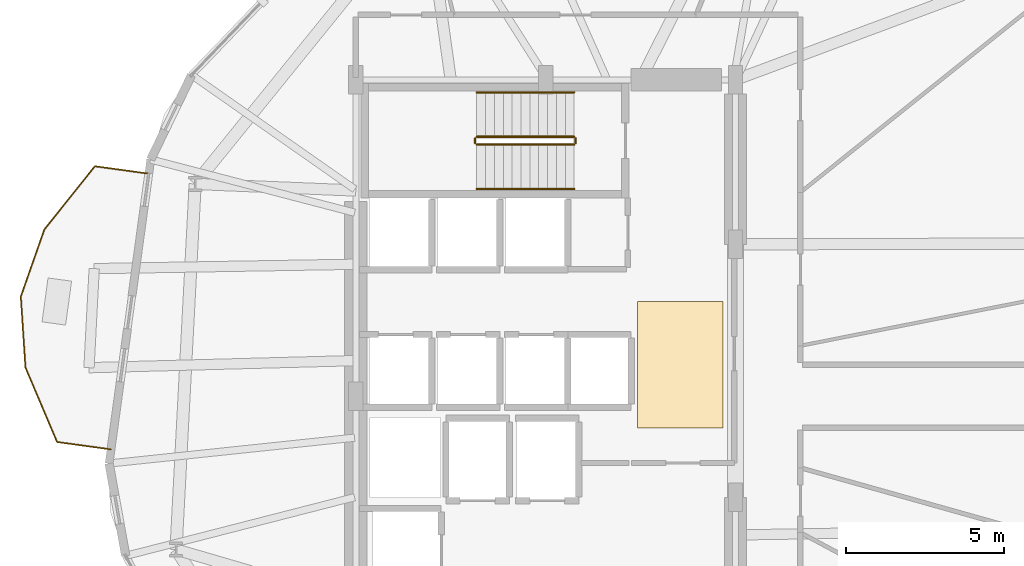
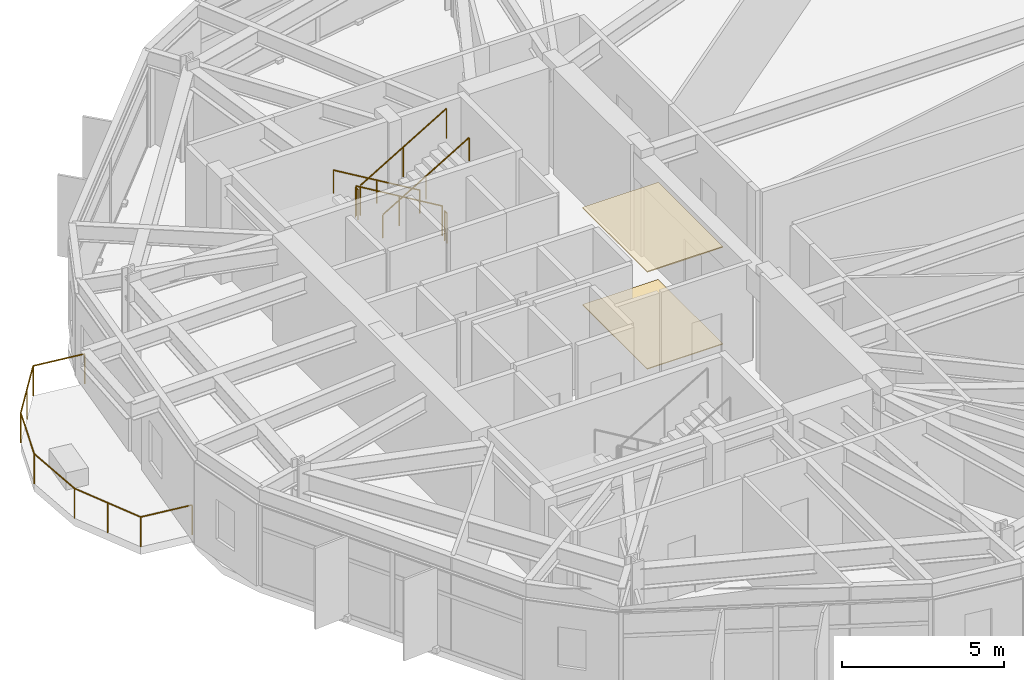
# One storey, part 21 of 22: 7 railings, 2 coverings.
"""IFC4 building model written with IfcOpenShell, lengths in metres."""

from ifc_helpers import new_model, si_unit, direction, frame, origin, origin_2d, place, context, subcontext, project, spatial, polyline, circle, outline, extrude, material, layer, layer_set, type_object, element, save


model = new_model("IFC4")

# Units and contexts
model_context = context("Model", 3, precision=1e-05, world=origin(), true_north=direction((0.0, 1.0)))
body_context = subcontext(model_context, "Body", "Model", "MODEL_VIEW")
ifc_project = project(units=[si_unit("LENGTHUNIT", "METRE"), si_unit("AREAUNIT", "SQUARE_METRE"), si_unit("VOLUMEUNIT", "CUBIC_METRE"), si_unit("PLANEANGLEUNIT", "RADIAN"), si_unit("MASSUNIT", "GRAM", prefix="KILO")], contexts=[model_context])

# Site, building, storey
site_placement = place(None, origin())
site = spatial("IfcSite", under=ifc_project, at=site_placement, CompositionType="ELEMENT")
building_placement = place(site_placement, origin())
building = spatial("IfcBuilding", under=site, at=building_placement, Name="Soratama Intermodal Tower", CompositionType="ELEMENT")
storey_placement = place(building_placement, frame((0.0, 0.0, 66.60009765625)))
storey = spatial("IfcBuildingStorey", under=building, at=storey_placement, Name="L15", CompositionType="ELEMENT", Elevation=66.60009765625)

# Coverings
ifc_material_1 = material(Name="Perforated mineral acoustic ceiling", Category="concrete")
ifc_layer_1 = layer(ifc_material_1, 0.0400390625)
ifc_layer_set_1 = layer_set([ifc_layer_1], Name="Perforated mineral acoustic ceiling")
covering_type_1 = type_object("IfcCoveringType", Name="CV-CEIL-ACOUSTIC", PredefinedType="CEILING", material=ifc_layer_set_1)
covering_1_placement = place(storey_placement, frame((0.0, 0.0, 3.659912109375)))
element("IfcCovering", 1, at=covering_1_placement, inside=storey, type_object=covering_type_1, Name="L15 Acoustic Ceiling", PredefinedType="CEILING", context=body_context, shape_type="SweptSolid", body=[
    extrude(outline(polyline([(41.5, 24.0), (44.199951171875, 24.0), (44.199951171875, 28.0), (41.5, 28.0), (41.5, 24.0)])), origin(), (0.0, 0.0, 1.0), 0.0400390625),
])
ifc_material_2 = material(Name="Polished Andean stone terrazzo flooring", Category="masonry")
ifc_layer_2 = layer(ifc_material_2, 0.030029296875)
ifc_layer_set_2 = layer_set([ifc_layer_2], Name="Polished Andean stone terrazzo flooring")
covering_type_2 = type_object("IfcCoveringType", Name="CV-FLOR-TERRAZZO", PredefinedType="FLOORING", material=ifc_layer_set_2)
covering_2_placement = place(storey_placement, origin())
element("IfcCovering", 2, at=covering_2_placement, inside=storey, type_object=covering_type_2, Name="L15 Lobby Terrazzo Flooring", PredefinedType="FLOORING", context=body_context, shape_type="SweptSolid", body=[
    extrude(outline(polyline([(41.5, 24.0), (44.199951171875, 24.0), (44.199951171875, 28.0), (41.5, 28.0), (41.5, 24.0)])), origin(), (0.0, 0.0, 1.0), 0.02978515625),
])

# Railings
ifc_material_3 = material(Name="Laminated glass and stainless steel balustrade", Category="steel")
railing_type_1 = type_object("IfcRailingType", Name="RL-BAL-1150", PredefinedType="BALUSTRADE", material=ifc_material_3)
railing_1_placement = place(storey_placement, frame((24.86181640625, 23.318603515625, 0.0)))
element("IfcRailing", 3, at=railing_1_placement, inside=storey, type_object=railing_type_1, Name="L15 Balcony Balustrade 2", PredefinedType="BALUSTRADE", context=body_context, shape_type="SweptSolid", body=[
    extrude(circle(Radius=0.02392578125, at=origin_2d()), frame((0.0, 0.0, 1.1259765625), z_axis=(-0.990750532566, 0.135695918214, 0.0), x_axis=(-0.135695918214, -0.990750532566, 0.0)), (0.0, 0.0, 1.0), 1.719970703125),
    extrude(circle(Radius=0.02392578125, at=origin_2d()), frame((-1.7041015625, 0.2333984375, 1.1259765625), z_axis=(-0.390660037653, 0.920535026483, 0.0), x_axis=(-0.920535026483, -0.390660037653, 0.0)), (0.0, 0.0, 1.0), 2.560302734375),
    extrude(circle(Radius=0.02392578125, at=origin_2d()), frame((-2.704345703125, 2.59033203125, 1.1259765625), z_axis=(-0.065248629317, 0.997869037686, 0.0), x_axis=(-0.997869037686, -0.065248629317, 0.0)), (0.0, 0.0, 1.0), 2.2451171875),
    extrude(circle(Radius=0.02392578125, at=origin_2d()), frame((-2.850830078125, 4.83056640625, 1.1259765625), z_axis=(0.331164160543, 0.943573154966, 0.0), x_axis=(-0.943573154966, 0.331164160543, 0.0)), (0.0, 0.0, 1.0), 2.244873046875),
    extrude(circle(Radius=0.02392578125, at=origin_2d()), frame((-2.107421875, 6.94873046875, 1.1259765625), z_axis=(0.623845870632, 0.781547394401, 0.0), x_axis=(-0.781547394401, 0.623845870632, 0.0)), (0.0, 0.0, 1.0), 2.560546875),
    extrude(circle(Radius=0.02392578125, at=origin_2d()), frame((-0.510009765625, 8.949951171875, 1.1259765625), z_axis=(0.990750532566, -0.135695918214, 0.0), x_axis=(0.135695918214, 0.990750532566, 0.0)), (0.0, 0.0, 1.0), 1.719970703125),
    extrude(circle(Radius=0.02099609375, at=origin_2d()), origin(), (0.0, 0.0, 1.0), 1.101806640625),
    extrude(circle(Radius=0.02099609375, at=origin_2d()), frame((-1.7041015625, 0.2333984375, 0.0)), (0.0, 0.0, 1.0), 1.101806640625),
    extrude(circle(Radius=0.02099609375, at=origin_2d()), frame((-2.2041015625, 1.411865234375, 0.0)), (0.0, 0.0, 1.0), 1.101806640625),
    extrude(circle(Radius=0.02099609375, at=origin_2d()), frame((-2.704345703125, 2.59033203125, 0.0)), (0.0, 0.0, 1.0), 1.101806640625),
    extrude(circle(Radius=0.02099609375, at=origin_2d()), frame((-2.850830078125, 4.83056640625, 0.0)), (0.0, 0.0, 1.0), 1.101806640625),
    extrude(circle(Radius=0.02099609375, at=origin_2d()), frame((-2.107421875, 6.94873046875, 0.0)), (0.0, 0.0, 1.0), 1.101806640625),
    extrude(circle(Radius=0.02099609375, at=origin_2d()), frame((-1.30859375, 7.94921875, 0.0)), (0.0, 0.0, 1.0), 1.101806640625),
    extrude(circle(Radius=0.02099609375, at=origin_2d()), frame((-0.510009765625, 8.949951171875, 0.0)), (0.0, 0.0, 1.0), 1.101806640625),
    extrude(circle(Radius=0.02099609375, at=origin_2d()), frame((1.194091796875, 8.716552734375, 0.0)), (0.0, 0.0, 1.0), 1.101806640625),
])
ifc_material_4 = material(Name="Painted steel stair guardrail", Category="steel")
railing_type_2 = type_object("IfcRailingType", Name="RL-STAIR-GUARD", PredefinedType="GUARDRAIL", material=ifc_material_4)
railing_2_placement = place(storey_placement, frame((39.5, 33.199951171875, 0.16650390625)))
element("IfcRailing", 4, at=railing_2_placement, inside=storey, type_object=railing_type_2, Name="L15 ST-2 stair guard 1", PredefinedType="GUARDRAIL", context=body_context, shape_type="SweptSolid", body=[
    extrude(circle(Radius=0.02392578125, at=origin_2d()), frame((0.0, 0.0, 1.1259765625), z_axis=(-0.85927862911, 0.0, 0.511507807912), x_axis=(0.0, -1.0, 0.0)), (0.0, 0.0, 1.0), 3.58447265625),
    extrude(circle(Radius=0.02099609375, at=origin_2d()), origin(), (0.0, 0.0, 1.0), 1.101806640625),
    extrude(circle(Radius=0.02099609375, at=origin_2d()), frame((-1.5400390625, 0.0, 0.916748046875)), (0.0, 0.0, 1.0), 1.101806640625),
    extrude(circle(Radius=0.02099609375, at=origin_2d()), frame((-3.080078125, 0.0, 1.83349609375)), (0.0, 0.0, 1.0), 1.101806640625),
])
railing_3_placement = place(storey_placement, frame((36.3701171875, 33.14990234375, 2.0)))
element("IfcRailing", 5, at=railing_3_placement, inside=storey, type_object=railing_type_2, Name="L15 ST-2 stair guard 2", PredefinedType="GUARDRAIL", context=body_context, shape_type="SweptSolid", body=[
    extrude(circle(Radius=0.02392578125, at=origin_2d()), frame((0.0, 0.0, 1.1259765625), z_axis=(0.0, -1.0, 0.0), x_axis=(1.0, 0.0, 0.0)), (0.0, 0.0, 1.0), 0.14990234375),
    extrude(circle(Radius=0.02099609375, at=origin_2d()), origin(), (0.0, 0.0, 1.0), 1.101806640625),
    extrude(circle(Radius=0.02099609375, at=origin_2d()), frame((0.0, -0.14990234375, 0.0)), (0.0, 0.0, 1.0), 1.101806640625),
])
railing_4_placement = place(storey_placement, frame((36.419921875, 32.949951171875, 2.16650390625)))
element("IfcRailing", 6, at=railing_4_placement, inside=storey, type_object=railing_type_2, Name="L15 ST-2 stair guard 3", PredefinedType="GUARDRAIL", context=body_context, shape_type="SweptSolid", body=[
    extrude(circle(Radius=0.02392578125, at=origin_2d()), frame((0.0, 0.0, 1.1259765625), z_axis=(0.85927862911, 0.0, 0.511507807912), x_axis=(0.0, 1.0, 0.0)), (0.0, 0.0, 1.0), 3.58447265625),
    extrude(circle(Radius=0.02099609375, at=origin_2d()), origin(), (0.0, 0.0, 1.0), 1.101806640625),
    extrude(circle(Radius=0.02099609375, at=origin_2d()), frame((1.5400390625, 0.0, 0.916748046875)), (0.0, 0.0, 1.0), 1.101806640625),
    extrude(circle(Radius=0.02099609375, at=origin_2d()), frame((3.080078125, 0.0, 1.83349609375)), (0.0, 0.0, 1.0), 1.101806640625),
])
railing_5_placement = place(storey_placement, frame((39.550048828125, 33.14990234375, 0.0)))
element("IfcRailing", 7, at=railing_5_placement, inside=storey, type_object=railing_type_2, Name="L15 ST-2 stair guard 4", PredefinedType="GUARDRAIL", context=body_context, shape_type="SweptSolid", body=[
    extrude(circle(Radius=0.02392578125, at=origin_2d()), frame((0.0, 0.0, 1.1259765625), z_axis=(0.0, -1.0, 0.0), x_axis=(1.0, 0.0, 0.0)), (0.0, 0.0, 1.0), 0.14990234375),
    extrude(circle(Radius=0.02099609375, at=origin_2d()), origin(), (0.0, 0.0, 1.0), 1.101806640625),
    extrude(circle(Radius=0.02099609375, at=origin_2d()), frame((0.0, -0.14990234375, 0.0)), (0.0, 0.0, 1.0), 1.101806640625),
])
ifc_material_5 = material(Name="Brushed stainless steel handrail", Category="steel")
railing_type_3 = type_object("IfcRailingType", Name="RL-STAIR-HAND", PredefinedType="HANDRAIL", material=ifc_material_5)
railing_6_placement = place(storey_placement, frame((39.5, 34.60009765625, 0.16650390625)))
element("IfcRailing", 8, at=railing_6_placement, inside=storey, type_object=railing_type_3, Name="L15 ST-2 stair handrail 1", PredefinedType="HANDRAIL", context=body_context, shape_type="SweptSolid", body=[
    extrude(circle(Radius=0.02392578125, at=origin_2d()), frame((0.0, 0.0, 0.8759765625), z_axis=(-0.85927862911, 0.0, 0.511507807912), x_axis=(0.0, -1.0, 0.0)), (0.0, 0.0, 1.0), 3.58447265625),
    extrude(circle(Radius=0.02099609375, at=origin_2d()), origin(), (0.0, 0.0, 1.0), 0.851806640625),
    extrude(circle(Radius=0.02099609375, at=origin_2d()), frame((-1.5400390625, 0.0, 0.916748046875)), (0.0, 0.0, 1.0), 0.851806640625),
    extrude(circle(Radius=0.02099609375, at=origin_2d()), frame((-3.080078125, 0.0, 1.83349609375)), (0.0, 0.0, 1.0), 0.851806640625),
])
railing_7_placement = place(storey_placement, frame((36.419921875, 31.550048828125, 2.16650390625)))
element("IfcRailing", 9, at=railing_7_placement, inside=storey, type_object=railing_type_3, Name="L15 ST-2 stair handrail 2", PredefinedType="HANDRAIL", context=body_context, shape_type="SweptSolid", body=[
    extrude(circle(Radius=0.02392578125, at=origin_2d()), frame((0.0, 0.0, 0.8759765625), z_axis=(0.85927862911, 0.0, 0.511507807912), x_axis=(0.0, 1.0, 0.0)), (0.0, 0.0, 1.0), 3.58447265625),
    extrude(circle(Radius=0.02099609375, at=origin_2d()), origin(), (0.0, 0.0, 1.0), 0.851806640625),
    extrude(circle(Radius=0.02099609375, at=origin_2d()), frame((1.5400390625, 0.0, 0.916748046875)), (0.0, 0.0, 1.0), 0.851806640625),
    extrude(circle(Radius=0.02099609375, at=origin_2d()), frame((3.080078125, 0.0, 1.83349609375)), (0.0, 0.0, 1.0), 0.851806640625),
])

save(model, "model.ifc")
